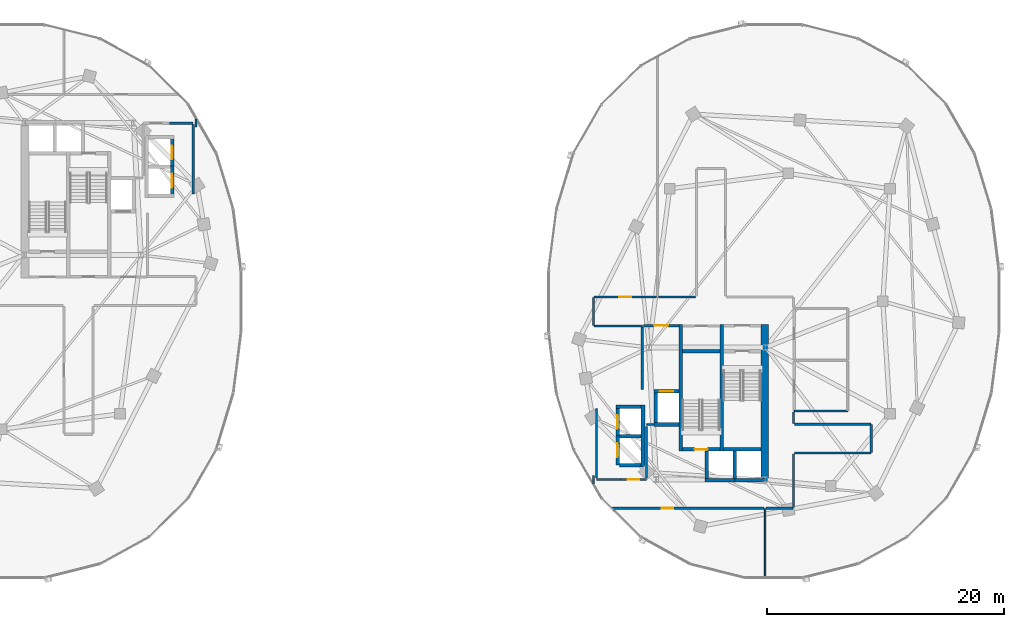
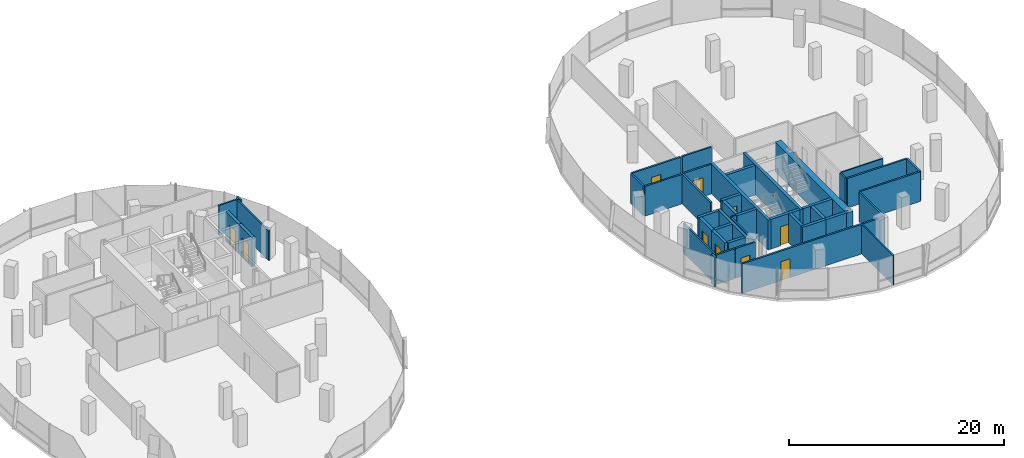
# One storey, part 13 of 21: 45 walls, 10 doors, 10 openings.
"""IFC4 building model written with IfcOpenShell, lengths in metres."""

from ifc_helpers import new_model, si_unit, direction, frame, frame_2d, origin, place, context, subcontext, project, spatial, rectangle, extrude, material, layer, layer_set, type_object, element, fill, save


model = new_model("IFC4")

# Units and contexts
model_context = context("Model", 3, precision=1e-05, world=origin(), true_north=direction((0.0, 1.0)))
body_context = subcontext(model_context, "Body", "Model", "MODEL_VIEW")
ifc_project = project(units=[si_unit("LENGTHUNIT", "METRE"), si_unit("AREAUNIT", "SQUARE_METRE"), si_unit("VOLUMEUNIT", "CUBIC_METRE"), si_unit("PLANEANGLEUNIT", "RADIAN"), si_unit("MASSUNIT", "GRAM", prefix="KILO"), si_unit("THERMODYNAMICTEMPERATUREUNIT", "KELVIN"), si_unit("POWERUNIT", "WATT")], contexts=[model_context])

# Site, building, storey
site_placement = place(None, origin())
site = spatial("IfcSite", under=ifc_project, at=site_placement, CompositionType="ELEMENT")
building_placement = place(site_placement, origin())
building = spatial("IfcBuilding", under=site, at=building_placement, Name="Cundina Bronze Exchange", CompositionType="ELEMENT")
storey_placement = place(building_placement, frame((0.0, 0.0, 180.0)))
storey = spatial("IfcBuildingStorey", under=building, at=storey_placement, Name="L47", CompositionType="ELEMENT", Elevation=180.0)

# Wall
ifc_material_1 = material(Name="Gypsum Fireboard Partition EI120")
ifc_layer_1 = layer(ifc_material_1, 0.179931640625, Name="Gypsum Fireboard Partition EI120")
ifc_layer_set_1 = layer_set([ifc_layer_1], Name="Gypsum Fireboard Partition EI120")
wall_type_1 = type_object("IfcWallType", Name="WL-COR-180", PredefinedType="PARTITIONING", material=ifc_layer_set_1)
wall_1_placement = place(storey_placement, frame((20.889892578125, -7.449951171875, 0.0), z_axis=(0.0, 0.0, 1.0), x_axis=(0.0, 1.0, 0.0)))
element("IfcWall", 1, at=wall_1_placement, inside=storey, type_object=wall_type_1, Name="L47 E Firefighting Lobby Side Wall", PredefinedType="PARTITIONING", context=body_context, shape_type="SweptSolid", body=[
    extrude(rectangle(XDim=5.300048828125, YDim=0.179931640625, at=frame_2d((2.64990234375, 0.0))), origin(), (0.0, 0.0, 1.0), 3.360107421875),
])

# Wall, opening, door
wall_2_placement = place(storey_placement, frame((20.97998046875, -2.06005859375, 0.0), z_axis=(0.0, 0.0, 1.0), x_axis=(1.0, 0.0, 0.0)))
wall_2 = element("IfcWall", 2, at=wall_2_placement, inside=storey, type_object=wall_type_1, Name="L47 E Firefighting Lobby Exit Wall", PredefinedType="PARTITIONING", context=body_context, shape_type="SweptSolid", body=[
    extrude(rectangle(XDim=3.0, YDim=0.179931640625, at=frame_2d((1.5, 0.0))), origin(), (0.0, 0.0, 1.0), 3.360107421875),
])
opening_1_placement = place(wall_2_placement, frame((0.89990234375, 0.0, 0.0)))
opening_1 = element("IfcOpeningElement", 3, at=opening_1_placement, cuts=wall_2, Name="Opening DF-01", PredefinedType="OPENING", context=body_context, shape_type="SweptSolid", body=[
    extrude(rectangle(XDim=1.199951171875, YDim=2.14990234375, at=frame_2d((0.60009765625, 1.074951171875))), frame((0.0, 0.099853515625, 0.0), z_axis=(0.0, -1.0, 0.0), x_axis=(1.0, 0.0, 0.0)), (0.0, 0.0, 1.0), 0.199951171875),
])
ifc_material_2 = material(Name="Steel ASTM A36 Painted", Category="steel")
door_type_1 = type_object("IfcDoorType", Name="DR-FFL-1200", OperationType="NOTDEFINED", PredefinedType="DOOR", material=ifc_material_2)
door_1_placement = place(opening_1_placement, origin())
door_1 = element("IfcDoor", 4, at=door_1_placement, inside=storey, type_object=door_type_1, Name="L47 E Firefighting Lobby Door", OperationType="SINGLE_SWING_LEFT", OverallHeight=2.14990234375, OverallWidth=1.199951171875, PredefinedType="DOOR", context=body_context, shape_type="SweptSolid", body=[
    extrude(rectangle(XDim=1.199951171875, YDim=2.14990234375, at=frame_2d((0.60009765625, 1.074951171875))), frame((0.0, 0.02490234375, 0.0), z_axis=(0.0, -1.0, 0.0), x_axis=(1.0, 0.0, 0.0)), (0.0, 0.0, 1.0), 0.050048828125),
])
fill(opening_1, door_1)

# Walls
wall_3_placement = place(storey_placement, frame((-17.02001953125, 9.070068359375, 0.0), z_axis=(0.0, 0.0, 1.0), x_axis=(0.0, 1.0, 0.0)))
element("IfcWall", 5, at=wall_3_placement, inside=storey, type_object=wall_type_1, Name="L47 Interior Partition 001", PredefinedType="PARTITIONING", context=body_context, shape_type="SweptSolid", body=[
    extrude(rectangle(XDim=5.85986328125, YDim=0.179931640625, at=frame_2d((2.929931640625, 0.0))), origin(), (0.0, 0.0, 1.0), 3.360107421875),
])
wall_4_placement = place(storey_placement, frame((-19.030029296875, 15.030029296875, 0.0), z_axis=(0.0, 0.0, 1.0), x_axis=(1.0, 0.0, 0.0)))
element("IfcWall", 6, at=wall_4_placement, inside=storey, type_object=wall_type_1, Name="L47 Interior Partition 003", PredefinedType="PARTITIONING", context=body_context, shape_type="SweptSolid", body=[
    extrude(rectangle(XDim=1.989990234375, YDim=0.179931640625, at=frame_2d((0.9951171875, 0.0))), origin(), (0.0, 0.0, 1.0), 3.360107421875),
])
wall_5_placement = place(storey_placement, frame((-16.780029296875, 14.721435546875, 0.0), z_axis=(0.0, 0.0, 1.0), x_axis=(0.0, 1.0, 0.0)))
element("IfcWall", 7, at=wall_5_placement, inside=storey, type_object=wall_type_1, Name="L47 Interior Partition 030", PredefinedType="PARTITIONING", context=body_context, shape_type="SweptSolid", body=[
    extrude(rectangle(XDim=0.68359375, YDim=0.179931640625, at=frame_2d((0.341796875, 0.0))), origin(), (0.0, 0.0, 1.0), 3.360107421875),
])
wall_6_placement = place(storey_placement, frame((17.02001953125, -14.929931640625, 0.0), z_axis=(0.0, 0.0, 1.0), x_axis=(0.0, 1.0, 0.0)))
element("IfcWall", 8, at=wall_6_placement, inside=storey, type_object=wall_type_1, Name="L47 Interior Partition 032", PredefinedType="PARTITIONING", context=body_context, shape_type="SweptSolid", body=[
    extrude(rectangle(XDim=5.85986328125, YDim=0.179931640625, at=frame_2d((2.929931640625, 0.0))), origin(), (0.0, 0.0, 1.0), 3.360107421875),
])
wall_7_placement = place(storey_placement, frame((17.0400390625, -15.030029296875, 0.0), z_axis=(0.0, 0.0, 1.0), x_axis=(1.0, 0.0, 0.0)))
element("IfcWall", 9, at=wall_7_placement, inside=storey, type_object=wall_type_1, Name="L47 Interior Partition 033", PredefinedType="PARTITIONING", context=body_context, shape_type="SweptSolid", body=[
    extrude(rectangle(XDim=1.989990234375, YDim=0.179931640625, at=frame_2d((0.9951171875, 0.0))), origin(), (0.0, 0.0, 1.0), 3.360107421875),
])

# Wall, opening, door
wall_8_placement = place(storey_placement, frame((21.22998046875, -15.030029296875, 0.0), z_axis=(0.0, 0.0, 1.0), x_axis=(-1.0, 0.0, 0.0)))
wall_8 = element("IfcWall", 10, at=wall_8_placement, inside=storey, type_object=wall_type_1, Name="L47 Interior Partition 034", PredefinedType="PARTITIONING", context=body_context, shape_type="SweptSolid", body=[
    extrude(rectangle(XDim=2.159912109375, YDim=0.179931640625, at=frame_2d((1.080078125, 0.0))), origin(), (0.0, 0.0, 1.0), 3.360107421875),
])
opening_2_placement = place(wall_8_placement, frame((0.60498046875, 0.0, 0.0)))
opening_2 = element("IfcOpeningElement", 11, at=opening_2_placement, cuts=wall_8, Name="Opening DW-01", PredefinedType="OPENING", context=body_context, shape_type="SweptSolid", body=[
    extrude(rectangle(XDim=0.949951171875, YDim=2.10009765625, at=frame_2d((0.47509765625, 1.050048828125))), frame((0.0, 0.099853515625, 0.0), z_axis=(0.0, -1.0, 0.0), x_axis=(1.0, 0.0, 0.0)), (0.0, 0.0, 1.0), 0.199951171875),
])
ifc_material_3 = material(Name="Solid Andean Oak Timber Grade A", Category="wood")
door_type_2 = type_object("IfcDoorType", Name="DR-WC-950", OperationType="NOTDEFINED", PredefinedType="DOOR", material=ifc_material_3)
door_2_placement = place(opening_2_placement, origin())
door_2 = element("IfcDoor", 12, at=door_2_placement, inside=storey, type_object=door_type_2, Name="L47 Interior Door 034", OperationType="SINGLE_SWING_LEFT", OverallHeight=2.10009765625, OverallWidth=0.949951171875, PredefinedType="DOOR", context=body_context, shape_type="SweptSolid", body=[
    extrude(rectangle(XDim=0.949951171875, YDim=2.10009765625, at=frame_2d((0.47509765625, 1.050048828125))), frame((0.0, 0.02490234375, 0.0), z_axis=(0.0, -1.0, 0.0), x_axis=(1.0, 0.0, 0.0)), (0.0, 0.0, 1.0), 0.050048828125),
])
fill(opening_2, door_2)

# Wall
wall_9_placement = place(storey_placement, frame((21.25, -14.929931640625, 0.0), z_axis=(0.0, 0.0, 1.0), x_axis=(0.0, 1.0, 0.0)))
element("IfcWall", 13, at=wall_9_placement, inside=storey, type_object=wall_type_1, Name="L47 Interior Partition 036", PredefinedType="PARTITIONING", context=body_context, shape_type="SweptSolid", body=[
    extrude(rectangle(XDim=4.35986328125, YDim=0.179931640625, at=frame_2d((2.179931640625, 0.0))), origin(), (0.0, 0.0, 1.0), 3.360107421875),
])

# Wall, opening, door
wall_10_placement = place(storey_placement, frame((18.341796875, -17.469970703125, 0.0), z_axis=(0.0, 0.0, 1.0), x_axis=(1.0, 0.0, 0.0)))
wall_10 = element("IfcWall", 14, at=wall_10_placement, inside=storey, type_object=wall_type_1, Name="L47 Interior Partition 047", PredefinedType="PARTITIONING", context=body_context, shape_type="SweptSolid", body=[
    extrude(rectangle(XDim=12.828125, YDim=0.179931640625, at=frame_2d((6.4140625, 0.0))), origin(), (0.0, 0.0, 1.0), 3.360107421875),
])
opening_3_placement = place(wall_10_placement, frame((4.17578125, 0.0, 0.0)))
opening_3 = element("IfcOpeningElement", 15, at=opening_3_placement, cuts=wall_10, Name="Opening DO-01", PredefinedType="OPENING", context=body_context, shape_type="SweptSolid", body=[
    extrude(rectangle(XDim=1.0, YDim=2.14990234375, at=frame_2d((0.5, 1.074951171875))), frame((0.0, 0.099853515625, 0.0), z_axis=(0.0, -1.0, 0.0), x_axis=(1.0, 0.0, 0.0)), (0.0, 0.0, 1.0), 0.199951171875),
])
door_type_3 = type_object("IfcDoorType", Name="DR-OFF-1000", OperationType="NOTDEFINED", PredefinedType="DOOR", material=ifc_material_3)
door_3_placement = place(opening_3_placement, origin())
door_3 = element("IfcDoor", 16, at=door_3_placement, inside=storey, type_object=door_type_3, Name="L47 Interior Door 047", OperationType="SINGLE_SWING_LEFT", OverallHeight=2.14990234375, OverallWidth=1.0, PredefinedType="DOOR", context=body_context, shape_type="SweptSolid", body=[
    extrude(rectangle(XDim=1.0, YDim=2.14990234375, at=frame_2d((0.5, 1.074951171875))), frame((0.0, 0.02490234375, 0.0), z_axis=(0.0, -1.0, 0.0), x_axis=(1.0, 0.0, 0.0)), (0.0, 0.0, 1.0), 0.050048828125),
])
fill(opening_3, door_3)

wall_11_placement = place(storey_placement, frame((22.080078125, 0.3701171875, 0.0), z_axis=(0.0, 0.0, 1.0), x_axis=(-1.0, 0.0, 0.0)))
wall_11 = element("IfcWall", 17, at=wall_11_placement, inside=storey, type_object=wall_type_1, Name="L47 Interior Partition 048", PredefinedType="PARTITIONING", context=body_context, shape_type="SweptSolid", body=[
    extrude(rectangle(XDim=5.258544921875, YDim=0.179931640625, at=frame_2d((2.62939453125, 0.0))), origin(), (0.0, 0.0, 1.0), 3.360107421875),
])
opening_4_placement = place(wall_11_placement, frame((2.129150390625, 0.0, 0.0)))
opening_4 = element("IfcOpeningElement", 18, at=opening_4_placement, cuts=wall_11, Name="Opening DO-01", PredefinedType="OPENING", context=body_context, shape_type="SweptSolid", body=[
    extrude(rectangle(XDim=1.0, YDim=2.14990234375, at=frame_2d((0.5, 1.074951171875))), frame((0.0, 0.099853515625, 0.0), z_axis=(0.0, -1.0, 0.0), x_axis=(1.0, 0.0, 0.0)), (0.0, 0.0, 1.0), 0.199951171875),
])
door_4_placement = place(opening_4_placement, origin())
door_4 = element("IfcDoor", 19, at=door_4_placement, inside=storey, type_object=door_type_3, Name="L47 Interior Door 048", OperationType="SINGLE_SWING_LEFT", OverallHeight=2.14990234375, OverallWidth=1.0, PredefinedType="DOOR", context=body_context, shape_type="SweptSolid", body=[
    extrude(rectangle(XDim=1.0, YDim=2.14990234375, at=frame_2d((0.5, 1.074951171875))), frame((0.0, 0.02490234375, 0.0), z_axis=(0.0, -1.0, 0.0), x_axis=(1.0, 0.0, 0.0)), (0.0, 0.0, 1.0), 0.050048828125),
])
fill(opening_4, door_4)

# Walls
wall_12_placement = place(storey_placement, frame((16.821533203125, -2.10009765625, 0.0), z_axis=(0.0, 0.0, 1.0), x_axis=(1.0, 0.0, 0.0)))
element("IfcWall", 20, at=wall_12_placement, inside=storey, type_object=wall_type_1, Name="L47 Interior Partition 049", PredefinedType="PARTITIONING", context=body_context, shape_type="SweptSolid", body=[
    extrude(rectangle(XDim=4.098388671875, YDim=0.179931640625, at=frame_2d((2.04931640625, 0.0))), origin(), (0.0, 0.0, 1.0), 3.360107421875),
])
wall_13_placement = place(storey_placement, frame((16.780029296875, 0.32861328125, 0.0), z_axis=(0.0, 0.0, 1.0), x_axis=(0.0, -1.0, 0.0)))
element("IfcWall", 21, at=wall_13_placement, inside=storey, type_object=wall_type_1, Name="L47 Interior Partition 050", PredefinedType="PARTITIONING", context=body_context, shape_type="SweptSolid", body=[
    extrude(rectangle(XDim=2.38720703125, YDim=0.179931640625, at=frame_2d((1.193603515625, 0.0))), origin(), (0.0, 0.0, 1.0), 3.360107421875),
])
wall_14_placement = place(storey_placement, frame((16.780029296875, -14.721435546875, 0.0), z_axis=(0.0, 0.0, 1.0), x_axis=(0.0, -1.0, 0.0)))
element("IfcWall", 22, at=wall_14_placement, inside=storey, type_object=wall_type_1, Name="L47 Interior Partition 051", PredefinedType="PARTITIONING", context=body_context, shape_type="SweptSolid", body=[
    extrude(rectangle(XDim=0.68359375, YDim=0.179931640625, at=frame_2d((0.341796875, 0.0))), origin(), (0.0, 0.0, 1.0), 3.360107421875),
])
for number, where, z_axis, x_axis, name in (
    (23, (33.75, -12.820068359375, 0.0), (0.0, 0.0, 1.0), (1.0, 0.0, 0.0), "L47 Interior Partition 054"),
    (24, (40.178466796875, -10.3798828125, 0.0), (0.0, 0.0, 1.0), (-1.0, 0.0, 0.0), "L47 Interior Partition 055"),
):
    element("IfcWall", number, at=place(storey_placement, frame(where, z_axis=z_axis, x_axis=x_axis)), inside=storey, type_object=wall_type_1, Name=name, PredefinedType="PARTITIONING", context=body_context, shape_type="SweptSolid", body=[
        extrude(rectangle(XDim=6.428466796875, YDim=0.179931640625, at=frame_2d((3.21435546875, 0.0))), origin(), (0.0, 0.0, 1.0), 3.360107421875),
    ])
wall_15_placement = place(storey_placement, frame((33.669921875, -17.428466796875, 0.0), z_axis=(0.0, 0.0, 1.0), x_axis=(0.0, 1.0, 0.0)))
element("IfcWall", 25, at=wall_15_placement, inside=storey, type_object=wall_type_1, Name="L47 Interior Partition 057", PredefinedType="PARTITIONING", context=body_context, shape_type="SweptSolid", body=[
    extrude(rectangle(XDim=4.528564453125, YDim=0.179931640625, at=frame_2d((2.26416015625, 0.0))), origin(), (0.0, 0.0, 1.0), 3.360107421875),
])
wall_16_placement = place(storey_placement, frame((25.39990234375, 0.3701171875, 0.0), z_axis=(0.0, 0.0, 1.0), x_axis=(-1.0, 0.0, 0.0)))
element("IfcWall", 26, at=wall_16_placement, inside=storey, type_object=wall_type_1, Name="L47 Interior Partition 058", PredefinedType="PARTITIONING", context=body_context, shape_type="SweptSolid", body=[
    extrude(rectangle(XDim=3.139892578125, YDim=0.179931640625, at=frame_2d((1.56982421875, 0.0))), origin(), (0.0, 0.0, 1.0), 3.360107421875),
])
wall_17_placement = place(storey_placement, frame((40.219970703125, -12.778564453125, 0.0), z_axis=(0.0, 0.0, 1.0), x_axis=(0.0, 1.0, 0.0)))
element("IfcWall", 27, at=wall_17_placement, inside=storey, type_object=wall_type_1, Name="L47 Interior Partition 060", PredefinedType="PARTITIONING", context=body_context, shape_type="SweptSolid", body=[
    extrude(rectangle(XDim=2.357177734375, YDim=0.179931640625, at=frame_2d((1.1787109375, 0.0))), origin(), (0.0, 0.0, 1.0), 3.360107421875),
])
wall_18_placement = place(storey_placement, frame((31.35009765625, -17.469970703125, 0.0), z_axis=(0.0, 0.0, 1.0), x_axis=(1.0, 0.0, 0.0)))
element("IfcWall", 28, at=wall_18_placement, inside=storey, type_object=wall_type_1, Name="L47 Interior Partition 061", PredefinedType="PARTITIONING", context=body_context, shape_type="SweptSolid", body=[
    extrude(rectangle(XDim=2.2783203125, YDim=0.179931640625, at=frame_2d((1.13916015625, 0.0))), origin(), (0.0, 0.0, 1.0), 3.360107421875),
])
wall_19_placement = place(storey_placement, frame((33.669921875, -10.300048828125, 0.0), z_axis=(0.0, 0.0, 1.0), x_axis=(0.0, 1.0, 0.0)))
element("IfcWall", 29, at=wall_19_placement, inside=storey, type_object=wall_type_1, Name="L47 Interior Partition 062", PredefinedType="PARTITIONING", context=body_context, shape_type="SweptSolid", body=[
    extrude(rectangle(XDim=0.94873046875, YDim=0.179931640625, at=frame_2d((0.474365234375, 0.0))), origin(), (0.0, 0.0, 1.0), 3.360107421875),
])
ifc_material_4 = material(Name="Concrete C50/60", Category="concrete")
ifc_layer_2 = layer(ifc_material_4, 0.64990234375, Name="Concrete C50/60", Category="concrete")
ifc_layer_set_2 = layer_set([ifc_layer_2], Name="Concrete C50/60")
wall_type_2 = type_object("IfcWallType", Name="WL-CORE-650", PredefinedType="SHEAR", material=ifc_layer_set_2)
wall_20_placement = place(storey_placement, frame((31.22509765625, -15.300048828125, 0.0), z_axis=(0.0, 0.0, 1.0), x_axis=(0.0, 1.0, 0.0)))
element("IfcWall", 30, at=wall_20_placement, inside=storey, type_object=wall_type_2, Name="L47 E Primary Core Shear Spine Wall", PredefinedType="SHEAR", context=body_context, shape_type="SweptSolid", body=[
    extrude(rectangle(XDim=13.330078125, YDim=0.64990234375, at=frame_2d((6.6650390625, 0.0))), origin(), (0.0, 0.0, 1.0), 3.360107421875),
])
ifc_material_5 = material(Name="Gypsum Acoustic Partition EI60")
ifc_layer_3 = layer(ifc_material_5, 0.125, Name="Gypsum Acoustic Partition EI60")
ifc_layer_set_3 = layer_set([ifc_layer_3], Name="Gypsum Acoustic Partition EI60")
wall_type_3 = type_object("IfcWallType", Name="WL-OFF-125", PredefinedType="PARTITIONING", material=ifc_layer_set_3)
wall_21_placement = place(storey_placement, frame((31.260009765625, -23.402099609375, 0.0), z_axis=(0.0, 0.0, 1.0), x_axis=(0.0, 1.0, 0.0)))
element("IfcWall", 31, at=wall_21_placement, inside=storey, type_object=wall_type_3, Name="L47 Interior Partition 046", PredefinedType="PARTITIONING", context=body_context, shape_type="SweptSolid", body=[
    extrude(rectangle(XDim=5.902099609375, YDim=0.125, at=frame_2d((2.951171875, 0.0))), origin(), (0.0, 0.0, 1.0), 3.360107421875),
])

# Wall, opening, door
ifc_layer_4 = layer(ifc_material_4, 0.300048828125, Name="Concrete C50/60", Category="concrete")
ifc_layer_set_4 = layer_set([ifc_layer_4], Name="Concrete C50/60")
wall_type_4 = type_object("IfcWallType", Name="WL-SHFT-300", PredefinedType="SHEAR", material=ifc_layer_set_4)
wall_22_placement = place(storey_placement, frame((-18.800048828125, 8.929931640625, 0.0), z_axis=(0.0, 0.0, 1.0), x_axis=(0.0, 1.0, 0.0)))
wall_22 = element("IfcWall", 32, at=wall_22_placement, inside=storey, type_object=wall_type_4, Name="L47 PM-W2 Hoistway Front Wall", PredefinedType="SHEAR", context=body_context, shape_type="SweptSolid", body=[
    extrude(rectangle(XDim=2.489990234375, YDim=0.300048828125, at=frame_2d((1.2451171875, 0.0))), origin(), (0.0, 0.0, 1.0), 3.360107421875),
])
opening_5_placement = place(wall_22_placement, frame((0.669921875, 0.0, 0.0)))
opening_5 = element("IfcOpeningElement", 33, at=opening_5_placement, cuts=wall_22, Name="Opening LD-01", PredefinedType="OPENING", context=body_context, shape_type="SweptSolid", body=[
    extrude(rectangle(XDim=1.14990234375, YDim=2.199951171875, at=frame_2d((0.574951171875, 1.10009765625))), frame((0.0, 0.159912109375, 0.0), z_axis=(0.0, -1.0, 0.0), x_axis=(1.0, 0.0, 0.0)), (0.0, 0.0, 1.0), 0.320068359375),
])
door_type_4 = type_object("IfcDoorType", Name="DR-LND-1150", OperationType="NOTDEFINED", PredefinedType="TRAPDOOR", material=ifc_material_2)
door_5_placement = place(opening_5_placement, origin())
door_5 = element("IfcDoor", 34, at=door_5_placement, inside=storey, type_object=door_type_4, Name="L47 PM-W2 Sliding Landing Door", OperationType="SLIDING_TO_LEFT", OverallHeight=2.199951171875, OverallWidth=1.14990234375, PredefinedType="TRAPDOOR", context=body_context, shape_type="SweptSolid", body=[
    extrude(rectangle(XDim=1.14990234375, YDim=2.199951171875, at=frame_2d((0.574951171875, 1.10009765625))), frame((0.0, 0.02490234375, 0.0), z_axis=(0.0, -1.0, 0.0), x_axis=(1.0, 0.0, 0.0)), (0.0, 0.0, 1.0), 0.050048828125),
])
fill(opening_5, door_5)

wall_23_placement = place(storey_placement, frame((-18.800048828125, 11.330078125, 0.0), z_axis=(0.0, 0.0, 1.0), x_axis=(0.0, 1.0, 0.0)))
wall_23 = element("IfcWall", 35, at=wall_23_placement, inside=storey, type_object=wall_type_4, Name="L47 PM-W1 Hoistway Front Wall", PredefinedType="SHEAR", context=body_context, shape_type="SweptSolid", body=[
    extrude(rectangle(XDim=2.489990234375, YDim=0.300048828125, at=frame_2d((1.2451171875, 0.0))), origin(), (0.0, 0.0, 1.0), 3.360107421875),
])
opening_6_placement = place(wall_23_placement, frame((0.669921875, 0.0, 0.0)))
opening_6 = element("IfcOpeningElement", 36, at=opening_6_placement, cuts=wall_23, Name="Opening LD-01", PredefinedType="OPENING", context=body_context, shape_type="SweptSolid", body=[
    extrude(rectangle(XDim=1.14990234375, YDim=2.199951171875, at=frame_2d((0.574951171875, 1.10009765625))), frame((0.0, 0.159912109375, 0.0), z_axis=(0.0, -1.0, 0.0), x_axis=(1.0, 0.0, 0.0)), (0.0, 0.0, 1.0), 0.320068359375),
])
door_6_placement = place(opening_6_placement, origin())
door_6 = element("IfcDoor", 37, at=door_6_placement, inside=storey, type_object=door_type_4, Name="L47 PM-W1 Sliding Landing Door", OperationType="SLIDING_TO_LEFT", OverallHeight=2.199951171875, OverallWidth=1.14990234375, PredefinedType="TRAPDOOR", context=body_context, shape_type="SweptSolid", body=[
    extrude(rectangle(XDim=1.14990234375, YDim=2.199951171875, at=frame_2d((0.574951171875, 1.10009765625))), frame((0.0, 0.02490234375, 0.0), z_axis=(0.0, -1.0, 0.0), x_axis=(1.0, 0.0, 0.0)), (0.0, 0.0, 1.0), 0.050048828125),
])
fill(opening_6, door_6)

# Walls
for number, where, z_axis, x_axis, name in (
    (38, (27.590087890625, -12.64990234375, 0.0), (0.0, 0.0, 1.0), (0.0, 1.0, 0.0), "L47 E Stair Shaft Dividing Shear Wall"),
    (39, (24.1298828125, -12.64990234375, 0.0), (0.0, 0.0, 1.0), (0.0, 1.0, 0.0), "L47 E Stair 2 East Shear Wall"),
):
    element("IfcWall", number, at=place(storey_placement, frame(where, z_axis=z_axis, x_axis=x_axis)), inside=storey, type_object=wall_type_4, Name=name, PredefinedType="SHEAR", context=body_context, shape_type="SweptSolid", body=[
        extrude(rectangle(XDim=10.679931640625, YDim=0.300048828125, at=frame_2d((5.33984375, 0.0))), origin(), (0.0, 0.0, 1.0), 3.360107421875),
    ])
wall_24_placement = place(storey_placement, frame((27.739990234375, -12.5, 0.0), z_axis=(0.0, 0.0, 1.0), x_axis=(1.0, 0.0, 0.0)))
element("IfcWall", 40, at=wall_24_placement, inside=storey, type_object=wall_type_4, Name="L47 Stair E1 Far Shaft Wall", PredefinedType="SHEAR", context=body_context, shape_type="SweptSolid", body=[
    extrude(rectangle(XDim=3.159912109375, YDim=0.300048828125, at=frame_2d((1.580078125, 0.0))), origin(), (0.0, 0.0, 1.0), 3.360107421875),
])

# Wall, opening, door
wall_25_placement = place(storey_placement, frame((24.280029296875, -12.5, 0.0), z_axis=(0.0, 0.0, 1.0), x_axis=(1.0, 0.0, 0.0)))
wall_25 = element("IfcWall", 41, at=wall_25_placement, inside=storey, type_object=wall_type_4, Name="L47 Stair E2 Landing Wall", PredefinedType="SHEAR", context=body_context, shape_type="SweptSolid", body=[
    extrude(rectangle(XDim=3.159912109375, YDim=0.300048828125, at=frame_2d((1.580078125, 0.0))), origin(), (0.0, 0.0, 1.0), 3.360107421875),
])
opening_7_placement = place(wall_25_placement, frame((1.030029296875, 0.0, 0.0)))
opening_7 = element("IfcOpeningElement", 42, at=opening_7_placement, cuts=wall_25, Name="Opening DS-01", PredefinedType="OPENING", context=body_context, shape_type="SweptSolid", body=[
    extrude(rectangle(XDim=1.10009765625, YDim=2.14990234375, at=frame_2d((0.550048828125, 1.074951171875))), frame((0.0, 0.159912109375, 0.0), z_axis=(0.0, -1.0, 0.0), x_axis=(1.0, 0.0, 0.0)), (0.0, 0.0, 1.0), 0.320068359375),
])
door_type_5 = type_object("IfcDoorType", Name="DR-STR-1100", OperationType="NOTDEFINED", PredefinedType="DOOR", material=ifc_material_2)
door_7_placement = place(opening_7_placement, origin())
door_7 = element("IfcDoor", 43, at=door_7_placement, inside=storey, type_object=door_type_5, Name="L47 Smokeproof Stair E2 Door", OperationType="SINGLE_SWING_RIGHT", OverallHeight=2.14990234375, OverallWidth=1.10009765625, PredefinedType="DOOR", context=body_context, shape_type="SweptSolid", body=[
    extrude(rectangle(XDim=1.10009765625, YDim=2.14990234375, at=frame_2d((0.550048828125, 1.074951171875))), frame((0.0, 0.02490234375, 0.0), z_axis=(0.0, -1.0, 0.0), x_axis=(1.0, 0.0, 0.0)), (0.0, 0.0, 1.0), 0.050048828125),
])
fill(opening_7, door_7)

# Wall
wall_26_placement = place(storey_placement, frame((24.280029296875, -4.199951171875, 0.0), z_axis=(0.0, 0.0, 1.0), x_axis=(1.0, 0.0, 0.0)))
element("IfcWall", 44, at=wall_26_placement, inside=storey, type_object=wall_type_4, Name="L47 Stair E2 Far Shaft Wall", PredefinedType="SHEAR", context=body_context, shape_type="SweptSolid", body=[
    extrude(rectangle(XDim=3.159912109375, YDim=0.300048828125, at=frame_2d((1.580078125, 0.0))), origin(), (0.0, 0.0, 1.0), 3.360107421875),
])

# Wall, opening, door
wall_27_placement = place(storey_placement, frame((21.8798828125, -7.60009765625, 0.0), z_axis=(0.0, 0.0, 1.0), x_axis=(1.0, 0.0, 0.0)))
wall_27 = element("IfcWall", 45, at=wall_27_placement, inside=storey, type_object=wall_type_4, Name="L47 FFL-E Hoistway Front Wall", PredefinedType="SHEAR", context=body_context, shape_type="SweptSolid", body=[
    extrude(rectangle(XDim=2.10009765625, YDim=0.300048828125, at=frame_2d((1.050048828125, 0.0))), origin(), (0.0, 0.0, 1.0), 3.360107421875),
])
opening_8_placement = place(wall_27_placement, frame((0.47509765625, 0.0, 0.0)))
opening_8 = element("IfcOpeningElement", 46, at=opening_8_placement, cuts=wall_27, Name="Opening LD-01", PredefinedType="OPENING", context=body_context, shape_type="SweptSolid", body=[
    extrude(rectangle(XDim=1.14990234375, YDim=2.199951171875, at=frame_2d((0.574951171875, 1.10009765625))), frame((0.0, 0.159912109375, 0.0), z_axis=(0.0, -1.0, 0.0), x_axis=(1.0, 0.0, 0.0)), (0.0, 0.0, 1.0), 0.320068359375),
])
door_8_placement = place(opening_8_placement, origin())
door_8 = element("IfcDoor", 47, at=door_8_placement, inside=storey, type_object=door_type_4, Name="L47 FFL-E Sliding Landing Door", OperationType="SLIDING_TO_LEFT", OverallHeight=2.199951171875, OverallWidth=1.14990234375, PredefinedType="TRAPDOOR", context=body_context, shape_type="SweptSolid", body=[
    extrude(rectangle(XDim=1.14990234375, YDim=2.199951171875, at=frame_2d((0.574951171875, 1.10009765625))), frame((0.0, 0.02490234375, 0.0), z_axis=(0.0, -1.0, 0.0), x_axis=(1.0, 0.0, 0.0)), (0.0, 0.0, 1.0), 0.050048828125),
])
fill(opening_8, door_8)

# Walls
wall_28_placement = place(storey_placement, frame((21.8798828125, -10.39990234375, 0.0), z_axis=(0.0, 0.0, 1.0), x_axis=(1.0, 0.0, 0.0)))
element("IfcWall", 48, at=wall_28_placement, inside=storey, type_object=wall_type_4, Name="L47 FFL-E Hoistway Back Wall", PredefinedType="SHEAR", context=body_context, shape_type="SweptSolid", body=[
    extrude(rectangle(XDim=2.10009765625, YDim=0.300048828125, at=frame_2d((1.050048828125, 0.0))), origin(), (0.0, 0.0, 1.0), 3.360107421875),
])
for number, where, z_axis, x_axis, name in (
    (49, (22.030029296875, -10.25, 0.0), (0.0, 0.0, 1.0), (0.0, 1.0, 0.0), "L47 FFL-E Hoistway Side Wall"),
    (50, (28.699951171875, -15.10009765625, 0.0), (0.0, 0.0, 1.0), (1.0, 0.0, 0.0), "L47 PH-E1 Hoistway Front Wall"),
):
    element("IfcWall", number, at=place(storey_placement, frame(where, z_axis=z_axis, x_axis=x_axis)), inside=storey, type_object=wall_type_4, Name=name, PredefinedType="SHEAR", context=body_context, shape_type="SweptSolid", body=[
        extrude(rectangle(XDim=2.5, YDim=0.300048828125, at=frame_2d((1.25, 0.0))), origin(), (0.0, 0.0, 1.0), 3.360107421875),
    ])
wall_29_placement = place(storey_placement, frame((28.699951171875, -14.949951171875, 0.0), z_axis=(0.0, 0.0, 1.0), x_axis=(0.0, 1.0, 0.0)))
element("IfcWall", 51, at=wall_29_placement, inside=storey, type_object=wall_type_4, Name="L47 PH-E1 Hoistway Divider Wall", PredefinedType="SHEAR", context=body_context, shape_type="SweptSolid", body=[
    extrude(rectangle(XDim=2.300048828125, YDim=0.300048828125, at=frame_2d((1.14990234375, 0.0))), origin(), (0.0, 0.0, 1.0), 3.360107421875),
])
wall_30_placement = place(storey_placement, frame((26.199951171875, -15.10009765625, 0.0), z_axis=(0.0, 0.0, 1.0), x_axis=(1.0, 0.0, 0.0)))
element("IfcWall", 52, at=wall_30_placement, inside=storey, type_object=wall_type_4, Name="L47 PH-E2 Hoistway Front Wall", PredefinedType="SHEAR", context=body_context, shape_type="SweptSolid", body=[
    extrude(rectangle(XDim=2.5, YDim=0.300048828125, at=frame_2d((1.25, 0.0))), origin(), (0.0, 0.0, 1.0), 3.360107421875),
])
wall_31_placement = place(storey_placement, frame((26.35009765625, -14.949951171875, 0.0), z_axis=(0.0, 0.0, 1.0), x_axis=(0.0, 1.0, 0.0)))
element("IfcWall", 53, at=wall_31_placement, inside=storey, type_object=wall_type_4, Name="L47 PH-E2 Hoistway Divider Wall", PredefinedType="SHEAR", context=body_context, shape_type="SweptSolid", body=[
    extrude(rectangle(XDim=2.300048828125, YDim=0.300048828125, at=frame_2d((1.14990234375, 0.0))), origin(), (0.0, 0.0, 1.0), 3.360107421875),
])
wall_32_placement = place(storey_placement, frame((20.949951171875, -14.0, 0.0), z_axis=(0.0, 0.0, 1.0), x_axis=(0.0, 1.0, 0.0)))
element("IfcWall", 54, at=wall_32_placement, inside=storey, type_object=wall_type_4, Name="L47 E Passenger Bank Hoistway Back Wall", PredefinedType="SHEAR", context=body_context, shape_type="SweptSolid", body=[
    extrude(rectangle(XDim=5.25, YDim=0.300048828125, at=frame_2d((2.625, 0.0))), origin(), (0.0, 0.0, 1.0), 3.360107421875),
])
wall_33_placement = place(storey_placement, frame((18.949951171875, -13.85009765625, 0.0), z_axis=(0.0, 0.0, 1.0), x_axis=(1.0, 0.0, 0.0)))
element("IfcWall", 55, at=wall_33_placement, inside=storey, type_object=wall_type_4, Name="L47 E Passenger Bank South Cap Wall", PredefinedType="SHEAR", context=body_context, shape_type="SweptSolid", body=[
    extrude(rectangle(XDim=1.85009765625, YDim=0.300048828125, at=frame_2d((0.925048828125, 0.0))), origin(), (0.0, 0.0, 1.0), 3.360107421875),
])
wall_34_placement = place(storey_placement, frame((18.64990234375, -8.89990234375, 0.0), z_axis=(0.0, 0.0, 1.0), x_axis=(1.0, 0.0, 0.0)))
element("IfcWall", 56, at=wall_34_placement, inside=storey, type_object=wall_type_4, Name="L47 E Passenger Bank North Cap Wall", PredefinedType="SHEAR", context=body_context, shape_type="SweptSolid", body=[
    extrude(rectangle(XDim=2.150146484375, YDim=0.300048828125, at=frame_2d((1.0751953125, 0.0))), origin(), (0.0, 0.0, 1.0), 3.360107421875),
])
wall_35_placement = place(storey_placement, frame((18.949951171875, -11.375, 0.0), z_axis=(0.0, 0.0, 1.0), x_axis=(1.0, 0.0, 0.0)))
element("IfcWall", 57, at=wall_35_placement, inside=storey, type_object=wall_type_4, Name="L47 E Passenger Hoistway Divider 1", PredefinedType="SHEAR", context=body_context, shape_type="SweptSolid", body=[
    extrude(rectangle(XDim=1.85009765625, YDim=0.300048828125, at=frame_2d((0.925048828125, 0.0))), origin(), (0.0, 0.0, 1.0), 3.360107421875),
])

# Wall, opening, door
wall_36_placement = place(storey_placement, frame((18.800048828125, -13.820068359375, 0.0), z_axis=(0.0, 0.0, 1.0), x_axis=(0.0, 1.0, 0.0)))
wall_36 = element("IfcWall", 58, at=wall_36_placement, inside=storey, type_object=wall_type_4, Name="L47 PM-E1 Hoistway Front Wall", PredefinedType="SHEAR", context=body_context, shape_type="SweptSolid", body=[
    extrude(rectangle(XDim=2.489990234375, YDim=0.300048828125, at=frame_2d((1.2451171875, 0.0))), origin(), (0.0, 0.0, 1.0), 3.360107421875),
])
opening_9_placement = place(wall_36_placement, frame((0.669921875, 0.0, 0.0)))
opening_9 = element("IfcOpeningElement", 59, at=opening_9_placement, cuts=wall_36, Name="Opening LD-01", PredefinedType="OPENING", context=body_context, shape_type="SweptSolid", body=[
    extrude(rectangle(XDim=1.14990234375, YDim=2.199951171875, at=frame_2d((0.574951171875, 1.10009765625))), frame((0.0, 0.159912109375, 0.0), z_axis=(0.0, -1.0, 0.0), x_axis=(1.0, 0.0, 0.0)), (0.0, 0.0, 1.0), 0.320068359375),
])
door_9_placement = place(opening_9_placement, origin())
door_9 = element("IfcDoor", 60, at=door_9_placement, inside=storey, type_object=door_type_4, Name="L47 PM-E1 Sliding Landing Door", OperationType="SLIDING_TO_LEFT", OverallHeight=2.199951171875, OverallWidth=1.14990234375, PredefinedType="TRAPDOOR", context=body_context, shape_type="SweptSolid", body=[
    extrude(rectangle(XDim=1.14990234375, YDim=2.199951171875, at=frame_2d((0.574951171875, 1.10009765625))), frame((0.0, 0.02490234375, 0.0), z_axis=(0.0, -1.0, 0.0), x_axis=(1.0, 0.0, 0.0)), (0.0, 0.0, 1.0), 0.050048828125),
])
fill(opening_9, door_9)

wall_37_placement = place(storey_placement, frame((18.800048828125, -11.419921875, 0.0), z_axis=(0.0, 0.0, 1.0), x_axis=(0.0, 1.0, 0.0)))
wall_37 = element("IfcWall", 61, at=wall_37_placement, inside=storey, type_object=wall_type_4, Name="L47 PM-E2 Hoistway Front Wall", PredefinedType="SHEAR", context=body_context, shape_type="SweptSolid", body=[
    extrude(rectangle(XDim=2.489990234375, YDim=0.300048828125, at=frame_2d((1.2451171875, 0.0))), origin(), (0.0, 0.0, 1.0), 3.360107421875),
])
opening_10_placement = place(wall_37_placement, frame((0.669921875, 0.0, 0.0)))
opening_10 = element("IfcOpeningElement", 62, at=opening_10_placement, cuts=wall_37, Name="Opening LD-01", PredefinedType="OPENING", context=body_context, shape_type="SweptSolid", body=[
    extrude(rectangle(XDim=1.14990234375, YDim=2.199951171875, at=frame_2d((0.574951171875, 1.10009765625))), frame((0.0, 0.159912109375, 0.0), z_axis=(0.0, -1.0, 0.0), x_axis=(1.0, 0.0, 0.0)), (0.0, 0.0, 1.0), 0.320068359375),
])
door_10_placement = place(opening_10_placement, origin())
door_10 = element("IfcDoor", 63, at=door_10_placement, inside=storey, type_object=door_type_4, Name="L47 PM-E2 Sliding Landing Door", OperationType="SLIDING_TO_LEFT", OverallHeight=2.199951171875, OverallWidth=1.14990234375, PredefinedType="TRAPDOOR", context=body_context, shape_type="SweptSolid", body=[
    extrude(rectangle(XDim=1.14990234375, YDim=2.199951171875, at=frame_2d((0.574951171875, 1.10009765625))), frame((0.0, 0.02490234375, 0.0), z_axis=(0.0, -1.0, 0.0), x_axis=(1.0, 0.0, 0.0)), (0.0, 0.0, 1.0), 0.050048828125),
])
fill(opening_10, door_10)

# Walls
ifc_material_6 = material(Name="Moisture-Resistant Masonry Block Grade M15", Category="masonry")
ifc_layer_5 = layer(ifc_material_6, 0.139892578125, Name="Moisture-Resistant Masonry Block Grade M15", Category="masonry")
ifc_layer_set_5 = layer_set([ifc_layer_5], Name="Moisture-Resistant Masonry Block Grade M15")
wall_type_5 = type_object("IfcWallType", Name="WL-WET-140", PredefinedType="PARTITIONING", material=ifc_layer_set_5)
wall_38_placement = place(storey_placement, frame((21.27001953125, -10.39990234375, 0.0), z_axis=(0.0, 0.0, 1.0), x_axis=(1.0, 0.0, 0.0)))
element("IfcWall", 64, at=wall_38_placement, inside=storey, type_object=wall_type_5, Name="L47 Interior Partition 035", PredefinedType="PARTITIONING", context=body_context, shape_type="SweptSolid", body=[
    extrude(rectangle(XDim=0.590087890625, YDim=0.139892578125, at=frame_2d((0.294921875, 0.0))), origin(), (0.0, 0.0, 1.0), 3.360107421875),
])
wall_39_placement = place(storey_placement, frame((33.739990234375, -9.260009765625, 0.0), z_axis=(0.0, 0.0, 1.0), x_axis=(1.0, 0.0, 0.0)))
element("IfcWall", 65, at=wall_39_placement, inside=storey, type_object=wall_type_5, Name="L47 Interior Partition 042", PredefinedType="PARTITIONING", context=body_context, shape_type="SweptSolid", body=[
    extrude(rectangle(XDim=4.47998046875, YDim=0.139892578125, at=frame_2d((2.239990234375, 0.0))), origin(), (0.0, 0.0, 1.0), 3.360107421875),
])

save(model, "model.ifc")
